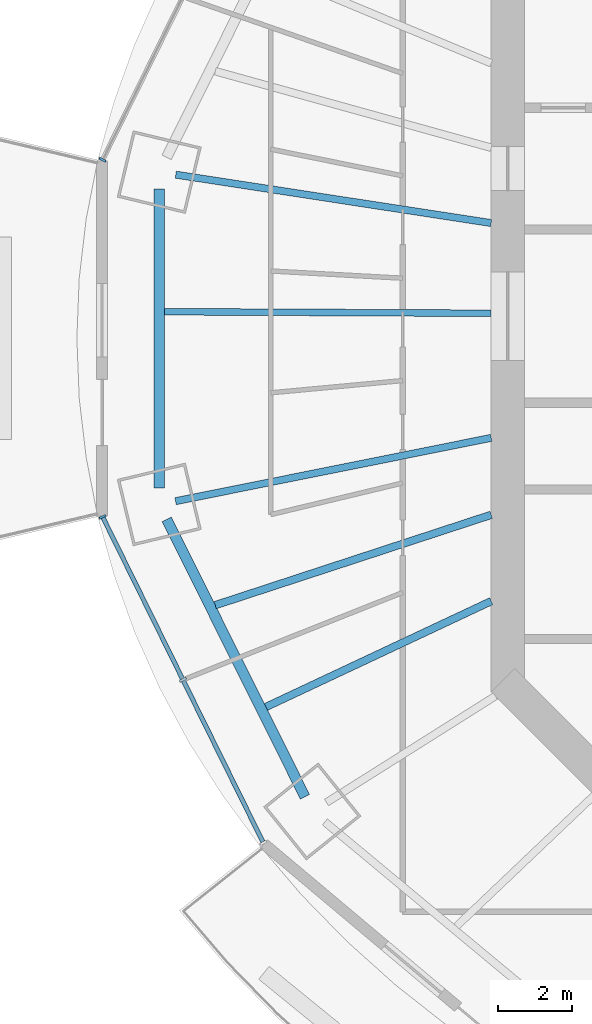
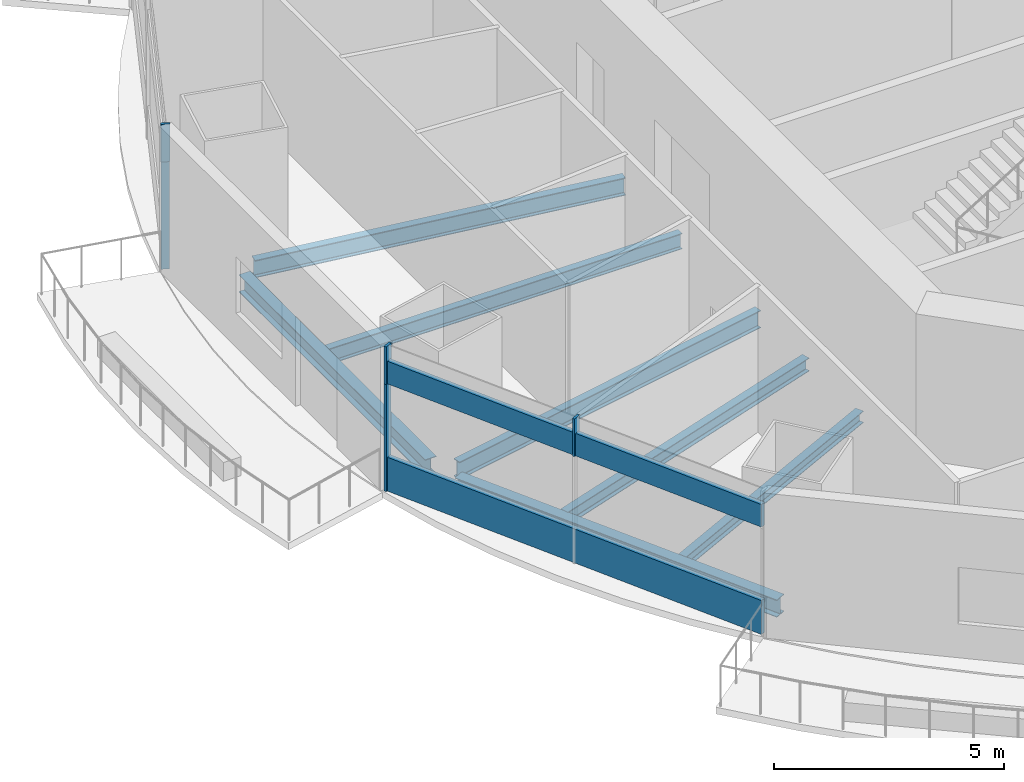
# One storey, part 3 of 16: 7 beams, 7 members, 4 elements without a shape of their own.
"""IFC4 building model written with IfcOpenShell, lengths in metres."""

from ifc_helpers import new_model, si_unit, direction, frame, origin, origin_2d, place, context, subcontext, project, spatial, rectangle, i_section, extrude, material, material_profile, profile_set, type_object, element, aggregate, save


model = new_model("IFC4")

# Units and contexts
model_context = context("Model", 3, precision=1e-05, world=origin(), true_north=direction((0.0, 1.0)))
body_context = subcontext(model_context, "Body", "Model", "MODEL_VIEW")
ifc_project = project(units=[si_unit("LENGTHUNIT", "METRE"), si_unit("AREAUNIT", "SQUARE_METRE"), si_unit("VOLUMEUNIT", "CUBIC_METRE"), si_unit("PLANEANGLEUNIT", "RADIAN"), si_unit("MASSUNIT", "GRAM", prefix="KILO")], contexts=[model_context])

# Site, building, storey
site_placement = place(None, origin())
site = spatial("IfcSite", under=ifc_project, at=site_placement, CompositionType="ELEMENT")
building_placement = place(site_placement, origin())
building = spatial("IfcBuilding", under=site, at=building_placement, Name="Marenthal Gate Tower", CompositionType="ELEMENT")
storey_placement = place(building_placement, frame((0.0, 0.0, 268.949951171875)))
storey = spatial("IfcBuildingStorey", under=building, at=storey_placement, Name="L60", CompositionType="ELEMENT", Elevation=268.949951171875)

# Curtain wall, member
ifc_material_1 = material(Name="Aluminium and glass", Category="aluminium")
curtain_wall_type_1 = type_object("IfcCurtainWallType", Name="Curtain wall typical mid", PredefinedType="NOTDEFINED", material=ifc_material_1)
curtain_wall_1_placement = place(storey_placement, origin())
curtain_wall_1 = element("IfcCurtainWall", 1, at=curtain_wall_1_placement, inside=storey, type_object=curtain_wall_type_1, Name="Curtain wall L60 bay 7", PredefinedType="NOTDEFINED")
ifc_material_2 = material(Name="Aluminium", Category="aluminium")
ifc_material_profile_1 = material_profile(ifc_material_2, rectangle(XDim=0.179931640625, YDim=0.06005859375, at=origin_2d()), Name="60x180 aluminium mullion")
ifc_profile_set_1 = profile_set([ifc_material_profile_1], Name="Aluminium")
member_type_1 = type_object("IfcMemberType", Name="Mullion 60x180 typical mid", PredefinedType="MULLION", material=ifc_profile_set_1)
member_1_placement = place(storey_placement, frame((-26.983642578125, 4.2392578125, 0.0), z_axis=(0.0, 0.0, 1.0), x_axis=(0.896920632002, -0.442191564697, 0.0)))
member_1 = element("IfcMember", 2, at=member_1_placement, type_object=member_type_1, Name="Mullion L60 bay 7.3", PredefinedType="MULLION", context=body_context, shape_type="SweptSolid", body=[
    extrude(rectangle(XDim=0.179931640625, YDim=0.06005859375, at=origin_2d()), origin(), (0.0, 0.0, 1.0), 2.85009765625),
])
aggregate(curtain_wall_1, [member_1])

curtain_wall_2_placement = place(storey_placement, origin())
curtain_wall_2 = element("IfcCurtainWall", 3, at=curtain_wall_2_placement, inside=storey, type_object=curtain_wall_type_1, Name="Curtain wall L60 bay 9", PredefinedType="NOTDEFINED")
member_2_placement = place(storey_placement, frame((-26.983642578125, -5.439453125, 0.0), z_axis=(0.0, 0.0, 1.0), x_axis=(0.896920632002, 0.442191564697, 0.0)))
member_2 = element("IfcMember", 4, at=member_2_placement, type_object=member_type_1, Name="Mullion L60 bay 9.1", PredefinedType="MULLION", context=body_context, shape_type="SweptSolid", body=[
    extrude(rectangle(XDim=0.179931640625, YDim=0.06005859375, at=origin_2d()), origin(), (0.0, 0.0, 1.0), 2.85009765625),
])

ifc_material_3 = material(Name="Aluminium and glass", Category="aluminium")
curtain_wall_type_2 = type_object("IfcCurtainWallType", Name="Curtain wall crown clad", PredefinedType="NOTDEFINED", material=ifc_material_3)
curtain_wall_3_placement = place(storey_placement, origin())
curtain_wall_3 = element("IfcCurtainWall", 5, at=curtain_wall_3_placement, inside=storey, type_object=curtain_wall_type_2, Name="Curtain wall L60 bay 7 head band", PredefinedType="NOTDEFINED")
ifc_material_4 = material(Name="Aluminium", Category="aluminium")
ifc_material_profile_2 = material_profile(ifc_material_4, rectangle(XDim=0.199951171875, YDim=0.06005859375, at=origin_2d()), Name="60x200 aluminium mullion")
ifc_profile_set_2 = profile_set([ifc_material_profile_2], Name="Aluminium")
member_type_2 = type_object("IfcMemberType", Name="Mullion 60x200 crown clad", PredefinedType="MULLION", material=ifc_profile_set_2)
member_3_placement = place(storey_placement, frame((-26.983642578125, 4.2392578125, 2.85009765625), z_axis=(0.0, 0.0, 1.0), x_axis=(0.896920632002, -0.442191564697, 0.0)))
member_3 = element("IfcMember", 6, at=member_3_placement, type_object=member_type_2, Name="Mullion L60 bay 7.3", PredefinedType="MULLION", context=body_context, shape_type="SweptSolid", body=[
    extrude(rectangle(XDim=0.199951171875, YDim=0.06005859375, at=origin_2d()), origin(), (0.0, 0.0, 1.0), 1.0),
])
aggregate(curtain_wall_3, [member_3])

# Curtain wall, members
curtain_wall_4_placement = place(storey_placement, origin())
curtain_wall_4 = element("IfcCurtainWall", 7, at=curtain_wall_4_placement, inside=storey, type_object=curtain_wall_type_2, Name="Curtain wall L60 bay 9 head band", PredefinedType="NOTDEFINED")
member_4_placement = place(storey_placement, frame((-26.983642578125, -5.439453125, 2.85009765625), z_axis=(0.0, 0.0, 1.0), x_axis=(0.896920632002, 0.442191564697, 0.0)))
member_4 = element("IfcMember", 8, at=member_4_placement, type_object=member_type_2, Name="Mullion L60 bay 9.1", PredefinedType="MULLION", context=body_context, shape_type="SweptSolid", body=[
    extrude(rectangle(XDim=0.199951171875, YDim=0.06005859375, at=origin_2d()), origin(), (0.0, 0.0, 1.0), 1.0),
])
member_5_placement = place(storey_placement, frame((-24.804931640625, -9.858642578125, 2.85009765625), z_axis=(0.0, 0.0, 1.0), x_axis=(0.896920632002, 0.442191564697, 0.0)))
member_5 = element("IfcMember", 9, at=member_5_placement, type_object=member_type_2, Name="Mullion L60 bay 9.2", PredefinedType="MULLION", context=body_context, shape_type="SweptSolid", body=[
    extrude(rectangle(XDim=0.199951171875, YDim=0.06005859375, at=origin_2d()), origin(), (0.0, 0.0, 1.0), 1.0),
])
ifc_material_5 = material(Name="Aluminium", Category="aluminium")
ifc_material_profile_3 = material_profile(ifc_material_5, rectangle(XDim=0.1201171875, YDim=0.60009765625, at=origin_2d()), Name="120x600 aluminium transom")
ifc_profile_set_3 = profile_set([ifc_material_profile_3], Name="Aluminium")
member_type_3 = type_object("IfcMemberType", Name="Transom 120x600 crown clad", PredefinedType="USERDEFINED", material=ifc_profile_set_3)
member_6_placement = place(storey_placement, frame((-26.97021484375, -5.46630859375, 3.150146484375), z_axis=(0.442181240155, -0.896925722039, 0.0), x_axis=(0.896925722039, 0.442181240155, 0.0)))
member_6 = element("IfcMember", 10, at=member_6_placement, type_object=member_type_3, Name="Transom L60 bay 9", ObjectType="TRANSOM", PredefinedType="USERDEFINED", context=body_context, shape_type="SweptSolid", body=[
    extrude(rectangle(XDim=0.1201171875, YDim=0.60009765625, at=origin_2d()), origin(), (0.0, 0.0, 1.0), 9.794189453125),
])
aggregate(curtain_wall_4, [member_4, member_5, member_6])

# Member
ifc_material_6 = material(Name="Aluminium", Category="aluminium")
ifc_material_profile_4 = material_profile(ifc_material_6, rectangle(XDim=0.1201171875, YDim=0.89990234375, at=origin_2d()), Name="120x900 aluminium transom")
ifc_profile_set_4 = profile_set([ifc_material_profile_4], Name="Aluminium")
member_type_4 = type_object("IfcMemberType", Name="Transom 120x900 typical mid", PredefinedType="USERDEFINED", material=ifc_profile_set_4)
member_7_placement = place(storey_placement, frame((-26.97021484375, -5.46630859375, 0.449951171875), z_axis=(0.442181240155, -0.896925722039, 0.0), x_axis=(0.896925722039, 0.442181240155, 0.0)))
member_7 = element("IfcMember", 11, at=member_7_placement, type_object=member_type_4, Name="Transom L60 bay 9", ObjectType="TRANSOM", PredefinedType="USERDEFINED", context=body_context, shape_type="SweptSolid", body=[
    extrude(rectangle(XDim=0.1201171875, YDim=0.89990234375, at=origin_2d()), origin(), (0.0, 0.0, 1.0), 9.794189453125),
])

aggregate(curtain_wall_2, [member_2, member_7])

# Beams
ifc_material_7 = material(Name="Steel S355", Category="steel")
ifc_material_profile_5 = material_profile(ifc_material_7, i_section(OverallWidth=0.205078125, OverallDepth=0.31005859375, WebThickness=0.009521484375, FlangeThickness=0.016357421875, FilletRadius=0.0126953125, at=origin_2d()), Name="W310X74")
ifc_profile_set_5 = profile_set([ifc_material_profile_5], Name="Steel S355")
beam_type_1 = type_object("IfcBeamType", Name="W310X74 beam", PredefinedType="BEAM", material=ifc_profile_set_5)
beam_1_placement = place(storey_placement, frame((-22.555419921875, -10.593505859375, -0.3349609375), z_axis=(0.905131794083, 0.425131080186, 0.0), x_axis=(-0.425131080186, 0.905131794083, 0.0)))
element("IfcBeam", 12, at=beam_1_placement, inside=storey, type_object=beam_type_1, Name="BM-L60-30", PredefinedType="BEAM", context=body_context, shape_type="SweptSolid", body=[
    extrude(i_section(OverallWidth=0.205078125, OverallDepth=0.31005859375, WebThickness=0.009521484375, FlangeThickness=0.016357421875, FilletRadius=0.0126953125, at=origin_2d()), origin(), (0.0, 0.0, 1.0), 6.745361328125),
])
ifc_material_8 = material(Name="Steel S355", Category="steel")
ifc_material_profile_6 = material_profile(ifc_material_8, i_section(OverallWidth=0.205078125, OverallDepth=0.35302734375, WebThickness=0.009521484375, FlangeThickness=0.016845703125, FilletRadius=0.014892578125, at=origin_2d()), Name="W360X79")
ifc_profile_set_6 = profile_set([ifc_material_profile_6], Name="Steel S355")
beam_type_2 = type_object("IfcBeamType", Name="W360X79 beam", PredefinedType="BEAM", material=ifc_profile_set_6)
beam_2_placement = place(storey_placement, frame((-23.930419921875, -7.834716796875, -0.3564453125), z_axis=(0.950357111355, 0.311161310089, 0.0), x_axis=(-0.311161310089, 0.950357111355, 0.0)))
element("IfcBeam", 13, at=beam_2_placement, inside=storey, type_object=beam_type_2, Name="BM-L60-29", PredefinedType="BEAM", context=body_context, shape_type="SweptSolid", body=[
    extrude(i_section(OverallWidth=0.205078125, OverallDepth=0.35302734375, WebThickness=0.009521484375, FlangeThickness=0.016845703125, FilletRadius=0.014892578125, at=origin_2d()), origin(), (0.0, 0.0, 1.0), 7.871337890625),
])
ifc_material_9 = material(Name="Steel S355", Category="steel")
ifc_material_profile_7 = material_profile(ifc_material_9, i_section(OverallWidth=0.180908203125, OverallDepth=0.4169921875, WebThickness=0.010986328125, FlangeThickness=0.018310546875, FilletRadius=0.01025390625, at=origin_2d()), Name="W410X85")
ifc_profile_set_7 = profile_set([ifc_material_profile_7], Name="Steel S355")
beam_type_3 = type_object("IfcBeamType", Name="W410X85 beam", PredefinedType="BEAM", material=ifc_profile_set_7)
beam_3_placement = place(storey_placement, frame((-25.3076171875, 0.1201171875, -0.388427734375), z_axis=(0.99998863168, -0.004768281836, 0.0), x_axis=(0.004768281836, 0.99998863168, 0.0)))
element("IfcBeam", 14, at=beam_3_placement, inside=storey, type_object=beam_type_3, Name="BM-L60-28", PredefinedType="BEAM", context=body_context, shape_type="SweptSolid", body=[
    extrude(i_section(OverallWidth=0.180908203125, OverallDepth=0.4169921875, WebThickness=0.010986328125, FlangeThickness=0.018310546875, FilletRadius=0.01025390625, at=origin_2d()), origin(), (0.0, 0.0, 1.0), 8.857666015625),
])
ifc_material_10 = material(Name="Steel S355", Category="steel")
ifc_material_profile_8 = material_profile(ifc_material_10, i_section(OverallWidth=0.279052734375, OverallDepth=0.4619140625, WebThickness=0.0107421875, FlangeThickness=0.017333984375, FilletRadius=0.010009765625, at=origin_2d()), Name="W460X113")
ifc_profile_set_8 = profile_set([ifc_material_profile_8], Name="Steel S355")
beam_type_4 = type_object("IfcBeamType", Name="W460X113 beam", PredefinedType="BEAM", material=ifc_profile_set_8)
beam_4_placement = place(storey_placement, frame((-25.447265625, 3.453125, -0.410888671875), z_axis=(0.0, -1.0, 0.0), x_axis=(1.0, 0.0, 0.0)))
element("IfcBeam", 15, at=beam_4_placement, inside=storey, type_object=beam_type_4, Name="BM-L60-48", PredefinedType="BEAM", context=body_context, shape_type="SweptSolid", body=[
    extrude(i_section(OverallWidth=0.279052734375, OverallDepth=0.4619140625, WebThickness=0.0107421875, FlangeThickness=0.017333984375, FilletRadius=0.010009765625, at=origin_2d()), origin(), (0.0, 0.0, 1.0), 8.106201171875),
])
beam_5_placement = place(storey_placement, frame((-25.24658203125, -5.506591796875, -0.410888671875), z_axis=(0.446074295106, -0.894995934765, 0.0), x_axis=(0.894995934765, 0.446074295106, 0.0)))
element("IfcBeam", 16, at=beam_5_placement, inside=storey, type_object=beam_type_4, Name="BM-L60-49", PredefinedType="BEAM", context=body_context, shape_type="SweptSolid", body=[
    extrude(i_section(OverallWidth=0.279052734375, OverallDepth=0.4619140625, WebThickness=0.0107421875, FlangeThickness=0.017333984375, FilletRadius=0.010009765625, at=origin_2d()), origin(), (0.0, 0.0, 1.0), 8.40283203125),
])
ifc_material_11 = material(Name="Steel S355", Category="steel")
ifc_material_profile_9 = material_profile(ifc_material_11, i_section(OverallWidth=0.193115234375, OverallDepth=0.467041015625, WebThickness=0.011474609375, FlangeThickness=0.01904296875, FilletRadius=0.010009765625, at=origin_2d()), Name="W460X97")
ifc_profile_set_9 = profile_set([ifc_material_profile_9], Name="Steel S355")
beam_type_5 = type_object("IfcBeamType", Name="W460X97 beam", PredefinedType="BEAM", material=ifc_profile_set_9)
beam_6_placement = place(storey_placement, frame((-24.999267578125, 3.83544921875, -0.413330078125), z_axis=(0.988432639334, -0.151660533758, 0.0), x_axis=(0.151660533758, 0.988432639334, 0.0)))
element("IfcBeam", 17, at=beam_6_placement, inside=storey, type_object=beam_type_5, Name="BM-L60-08", PredefinedType="BEAM", context=body_context, shape_type="SweptSolid", body=[
    extrude(i_section(OverallWidth=0.193115234375, OverallDepth=0.467041015625, WebThickness=0.011474609375, FlangeThickness=0.01904296875, FilletRadius=0.010009765625, at=origin_2d()), origin(), (0.0, 0.0, 1.0), 8.6494140625),
])
beam_7_placement = place(storey_placement, frame((-25.00537109375, -5.015625, -0.413330078125), z_axis=(0.980470758039, 0.196664924757, 0.0), x_axis=(-0.196664924757, 0.980470758039, 0.0)))
element("IfcBeam", 18, at=beam_7_placement, inside=storey, type_object=beam_type_5, Name="BM-L60-09", PredefinedType="BEAM", context=body_context, shape_type="SweptSolid", body=[
    extrude(i_section(OverallWidth=0.193115234375, OverallDepth=0.467041015625, WebThickness=0.011474609375, FlangeThickness=0.01904296875, FilletRadius=0.010009765625, at=origin_2d()), origin(), (0.0, 0.0, 1.0), 8.725830078125),
])

save(model, "model.ifc")
